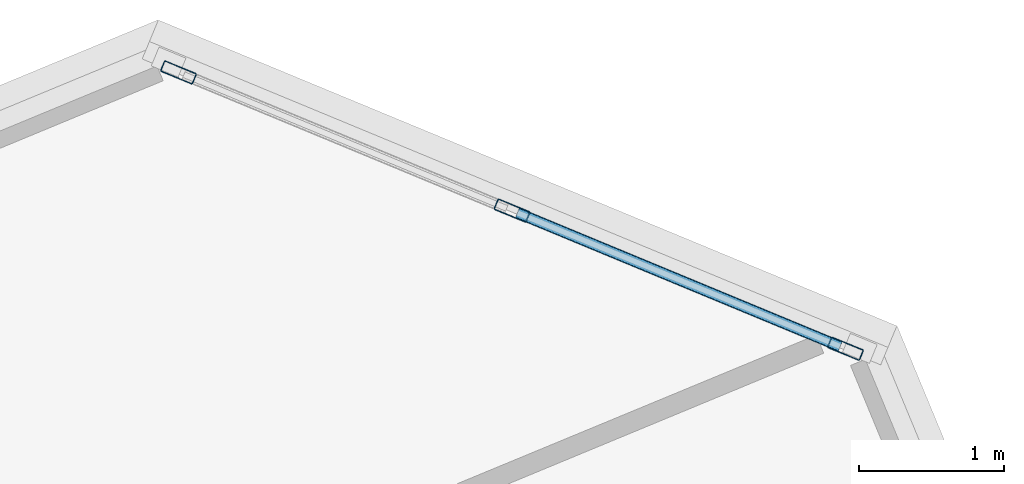
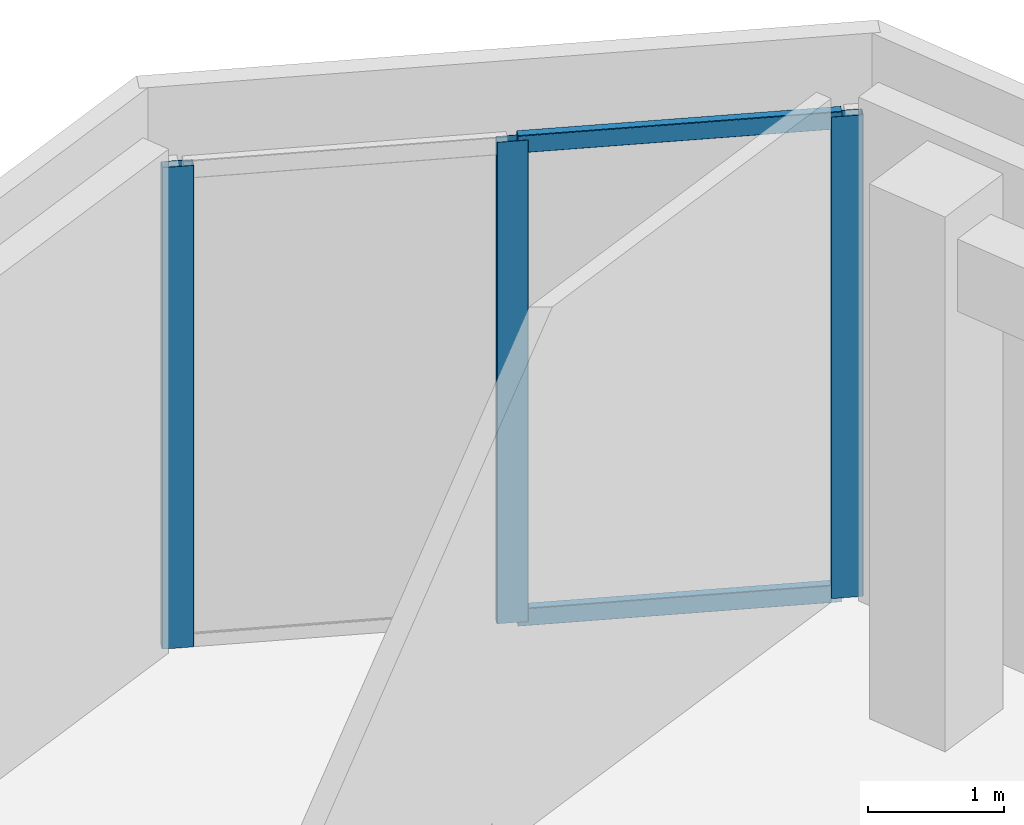
# One storey, part 7 of 17: 5 members, 1 element without a shape of its own.
"""IFC4 building model written with IfcOpenShell, lengths in metres."""

from ifc_helpers import new_model, si_unit, direction, frame, origin, origin_2d, place, context, subcontext, project, spatial, hollow_rectangle, extrude, source, transform, mapped, material, material_profile, profile_set, type_object, element, aggregate, save


model = new_model("IFC4")

# Units and contexts
model_context = context("Model", 3, precision=1e-05, world=origin(), true_north=direction((0.0, 1.0)))
body_context = subcontext(model_context, "Body", "Model", "MODEL_VIEW")
ifc_project = project(units=[si_unit("LENGTHUNIT", "METRE"), si_unit("AREAUNIT", "SQUARE_METRE"), si_unit("VOLUMEUNIT", "CUBIC_METRE"), si_unit("PLANEANGLEUNIT", "RADIAN"), si_unit("MASSUNIT", "GRAM", prefix="KILO")], contexts=[model_context])

# Site, building, storey
site_placement = place(None, origin())
site = spatial("IfcSite", under=ifc_project, at=site_placement, CompositionType="ELEMENT")
building_placement = place(site_placement, origin())
building = spatial("IfcBuilding", under=site, at=building_placement, Name="Torre Montelarca", CompositionType="ELEMENT")
storey_placement = place(building_placement, frame((0.0, 0.0, 355.199951171875)))
storey = spatial("IfcBuildingStorey", under=building, at=storey_placement, Name="L80", CompositionType="ELEMENT", Elevation=355.199951171875)

# Curtain wall, members
ifc_material_1 = material(Name="Amber translucent laminated glass", Category="glass")
curtain_wall_type = type_object("IfcCurtainWallType", Name="CW-SYS-LANT", PredefinedType="USERDEFINED", material=ifc_material_1)
curtain_wall_placement = place(storey_placement, origin())
curtain_wall = element("IfcCurtainWall", 1, at=curtain_wall_placement, inside=storey, type_object=curtain_wall_type, Name="L80 Curtain Wall Run CW-T3-L80-E09-B1", ObjectType="TRANSLUCENT LANTERN", PredefinedType="USERDEFINED")
ifc_material_2 = material(Name="Anodised aluminium AA 6063-T6", Category="aluminium")
ifc_material_profile_1 = material_profile(ifc_material_2, hollow_rectangle(XDim=0.074951171875, YDim=0.159912109375, WallThickness=0.0048828125, InnerFilletRadius=0.0048828125, OuterFilletRadius=0.010009765625, at=origin_2d()), Name="ALU75X160X5", Category="aluminium")
ifc_profile_set_1 = profile_set([ifc_material_profile_1], Name="Anodised aluminium AA 6063-T6")
member_type_1 = type_object("IfcMemberType", Name="CWT-ALU160", PredefinedType="USERDEFINED", material=ifc_profile_set_1)
shared_shape_1 = source(origin(), body_context, "Body", "SweptSolid", [
    extrude(hollow_rectangle(XDim=0.074951171875, YDim=0.159912109375, WallThickness=0.0048828125, InnerFilletRadius=0.0048828125, OuterFilletRadius=0.010009765625, at=origin_2d()), origin(), (0.0, 0.0, 1.0), 2.401123046875),
])
member_1_placement = place(storey_placement, frame((30.87060546875, 51.015380859375, 0.03759765625), z_axis=(-0.92386315418, 0.382722970761, 0.0), x_axis=(-0.382722970761, -0.92386315418, 0.0)))
member_1 = element("IfcMember", 2, at=member_1_placement, type_object=member_type_1, Name="CW transom 1.1", ObjectType="TRANSOM", PredefinedType="USERDEFINED", context=body_context, shape_type="MappedRepresentation", body=[
    mapped(shared_shape_1, transform((0.0, 0.0, 0.0), scale=1.0)),
])
member_2_placement = place(storey_placement, frame((30.87060546875, 51.015380859375, 4.282470703125), z_axis=(-0.92386315418, 0.382722970761, 0.0), x_axis=(-0.382722970761, -0.92386315418, 0.0)))
member_2 = element("IfcMember", 3, at=member_2_placement, type_object=member_type_1, Name="CW transom 1.2", ObjectType="TRANSOM", PredefinedType="USERDEFINED", context=body_context, shape_type="MappedRepresentation", body=[
    mapped(shared_shape_1, transform((0.0, 0.0, 0.0), scale=1.0)),
])
ifc_material_profile_2 = material_profile(ifc_material_2, hollow_rectangle(XDim=0.080078125, YDim=0.239990234375, WallThickness=0.0048828125, InnerFilletRadius=0.0048828125, OuterFilletRadius=0.010009765625, at=origin_2d()), Name="ALU80X240X5", Category="aluminium")
ifc_profile_set_2 = profile_set([ifc_material_profile_2], Name="Anodised aluminium AA 6063-T6")
member_type_2 = type_object("IfcMemberType", Name="CWM-ALU240", PredefinedType="MULLION", material=ifc_profile_set_2)
shared_shape_2 = source(origin(), body_context, "Body", "SweptSolid", [
    extrude(hollow_rectangle(XDim=0.080078125, YDim=0.239990234375, WallThickness=0.0048828125, InnerFilletRadius=0.0048828125, OuterFilletRadius=0.010009765625, at=origin_2d()), origin(), (0.0, 0.0, 1.0), 4.320068359375),
])
member_3_placement = place(storey_placement, frame((30.907470703125, 51.0, 0.0), z_axis=(0.0, 0.0, 1.0), x_axis=(-0.382671166306, -0.923884613184, 0.0)))
member_3 = element("IfcMember", 4, at=member_3_placement, type_object=member_type_2, Name="CW mullion 1", PredefinedType="MULLION", context=body_context, shape_type="MappedRepresentation", body=[
    mapped(shared_shape_2, transform((0.0, 0.0, 0.0), scale=1.0)),
])
member_4_placement = place(storey_placement, frame((28.615234375, 51.949462890625, 0.0), z_axis=(0.0, 0.0, 1.0), x_axis=(-0.382671166306, -0.923884613184, 0.0)))
member_4 = element("IfcMember", 5, at=member_4_placement, type_object=member_type_2, Name="CW mullion 2", PredefinedType="MULLION", context=body_context, shape_type="MappedRepresentation", body=[
    mapped(shared_shape_2, transform((0.0, 0.0, 0.0), scale=1.0)),
])
member_5_placement = place(storey_placement, frame((26.322998046875, 52.89892578125, 0.0), z_axis=(0.0, 0.0, 1.0), x_axis=(-0.382671166306, -0.923884613184, 0.0)))
member_5 = element("IfcMember", 6, at=member_5_placement, type_object=member_type_2, Name="CW mullion 3", PredefinedType="MULLION", context=body_context, shape_type="MappedRepresentation", body=[
    mapped(shared_shape_2, transform((0.0, 0.0, 0.0), scale=1.0)),
])
aggregate(curtain_wall, [member_3, member_4, member_5, member_1, member_2])

save(model, "model.ifc")
